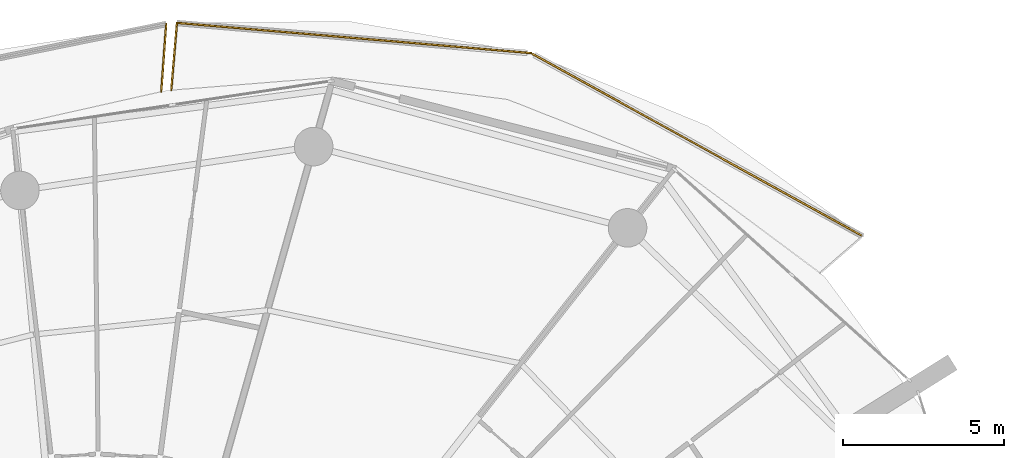
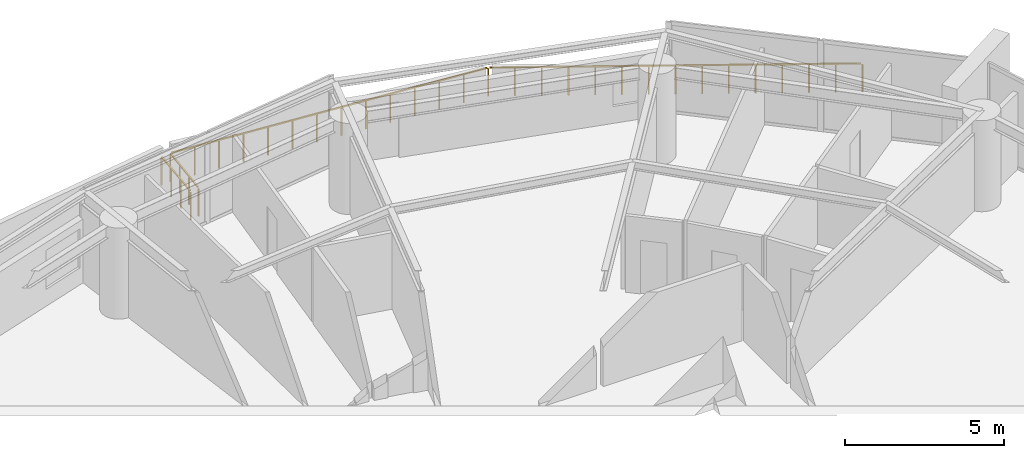
# One storey, part 23 of 23: 4 railings.
"""IFC4 building model written with IfcOpenShell, lengths in metres."""

from ifc_helpers import new_model, si_unit, direction, frame, origin, origin_2d, place, context, subcontext, project, spatial, rectangle, extrude, material, type_object, element, save


model = new_model("IFC4")

# Units and contexts
model_context = context("Model", 3, precision=1e-05, world=origin(), true_north=direction((0.0, 1.0)))
body_context = subcontext(model_context, "Body", "Model", "MODEL_VIEW")
ifc_project = project(units=[si_unit("LENGTHUNIT", "METRE"), si_unit("AREAUNIT", "SQUARE_METRE"), si_unit("VOLUMEUNIT", "CUBIC_METRE"), si_unit("PLANEANGLEUNIT", "RADIAN"), si_unit("MASSUNIT", "GRAM", prefix="KILO")], contexts=[model_context])

# Site, building, storey
site_placement = place(None, origin())
site = spatial("IfcSite", under=ifc_project, at=site_placement, CompositionType="ELEMENT")
building_placement = place(site_placement, origin())
building = spatial("IfcBuilding", under=site, at=building_placement, Name="Kazma Halo Residences", CompositionType="ELEMENT")
storey_placement = place(building_placement, frame((0.0, 0.0, 86.39990234375)))
storey = spatial("IfcBuildingStorey", under=building, at=storey_placement, Name="L21", CompositionType="ELEMENT", Elevation=86.39990234375)

# Railings
ifc_material = material(Name="Aluminium AW-6063 T6 Brushed Cap Rail", Category="aluminium")
railing_type = type_object("IfcRailingType", Name="RLG-BAL-CAP-1120", PredefinedType="BALUSTRADE", material=ifc_material)
railing_1_placement = place(storey_placement, frame((71.644287109375, 62.4453125, 0.0)))
element("IfcRailing", 1, at=railing_1_placement, inside=storey, type_object=railing_type, Name="L21 NE wave balcony guard 2", PredefinedType="BALUSTRADE", context=body_context, shape_type="SweptSolid", body=[
    extrude(rectangle(XDim=0.050048828125, YDim=0.050048828125, at=origin_2d()), frame((-0.037353515625, 0.0205078125, 1.09521484375), z_axis=(-0.875455960149, 0.483297901754, 0.0), x_axis=(-0.483297901754, -0.875455960149, 0.0)), (0.0, 0.0, 1.0), 11.706787109375),
    extrude(rectangle(XDim=0.0400390625, YDim=0.0400390625, at=origin_2d()), origin(), (0.0, 0.0, 1.0), 1.05810546875),
    extrude(rectangle(XDim=0.0400390625, YDim=0.0400390625, at=origin_2d()), frame((-0.7373046875, 0.406982421875, 0.0)), (0.0, 0.0, 1.0), 1.05810546875),
    extrude(rectangle(XDim=0.0400390625, YDim=0.0400390625, at=origin_2d()), frame((-1.474853515625, 0.814208984375, 0.0)), (0.0, 0.0, 1.0), 1.05810546875),
    extrude(rectangle(XDim=0.0400390625, YDim=0.0400390625, at=origin_2d()), frame((-2.212158203125, 1.22119140625, 0.0)), (0.0, 0.0, 1.0), 1.05810546875),
    extrude(rectangle(XDim=0.0400390625, YDim=0.0400390625, at=origin_2d()), frame((-2.949462890625, 1.628173828125, 0.0)), (0.0, 0.0, 1.0), 1.05810546875),
    extrude(rectangle(XDim=0.0400390625, YDim=0.0400390625, at=origin_2d()), frame((-3.686767578125, 2.035400390625, 0.0)), (0.0, 0.0, 1.0), 1.05810546875),
    extrude(rectangle(XDim=0.0400390625, YDim=0.0400390625, at=origin_2d()), frame((-4.42431640625, 2.4423828125, 0.0)), (0.0, 0.0, 1.0), 1.05810546875),
    extrude(rectangle(XDim=0.0400390625, YDim=0.0400390625, at=origin_2d()), frame((-5.16162109375, 2.849609375, 0.0)), (0.0, 0.0, 1.0), 1.05810546875),
    extrude(rectangle(XDim=0.0400390625, YDim=0.0400390625, at=origin_2d()), frame((-5.89892578125, 3.256591796875, 0.0)), (0.0, 0.0, 1.0), 1.05810546875),
    extrude(rectangle(XDim=0.0400390625, YDim=0.0400390625, at=origin_2d()), frame((-6.636474609375, 3.66357421875, 0.0)), (0.0, 0.0, 1.0), 1.05810546875),
    extrude(rectangle(XDim=0.0400390625, YDim=0.0400390625, at=origin_2d()), frame((-7.373779296875, 4.07080078125, 0.0)), (0.0, 0.0, 1.0), 1.05810546875),
    extrude(rectangle(XDim=0.0400390625, YDim=0.0400390625, at=origin_2d()), frame((-8.111083984375, 4.477783203125, 0.0)), (0.0, 0.0, 1.0), 1.05810546875),
    extrude(rectangle(XDim=0.0400390625, YDim=0.0400390625, at=origin_2d()), frame((-8.848388671875, 4.884765625, 0.0)), (0.0, 0.0, 1.0), 1.05810546875),
    extrude(rectangle(XDim=0.0400390625, YDim=0.0400390625, at=origin_2d()), frame((-9.5859375, 5.2919921875, 0.0)), (0.0, 0.0, 1.0), 1.05810546875),
    extrude(rectangle(XDim=0.0400390625, YDim=0.0400390625, at=origin_2d()), frame((-10.3232421875, 5.698974609375, 0.0)), (0.0, 0.0, 1.0), 1.05810546875),
])
railing_2_placement = place(storey_placement, frame((61.321044921875, 68.144287109375, 0.0)))
element("IfcRailing", 2, at=railing_2_placement, inside=storey, type_object=railing_type, Name="L21 NE wave balcony guard 3", PredefinedType="BALUSTRADE", context=body_context, shape_type="SweptSolid", body=[
    extrude(rectangle(XDim=0.050048828125, YDim=0.050048828125, at=origin_2d()), frame((-0.04248046875, 0.003662109375, 1.09521484375), z_axis=(-0.996376631535, 0.085050620995, 0.0), x_axis=(-0.085050620995, -0.996376631535, 0.0)), (0.0, 0.0, 1.0), 10.97802734375),
    extrude(rectangle(XDim=0.0400390625, YDim=0.0400390625, at=origin_2d()), origin(), (0.0, 0.0, 1.0), 1.05810546875),
    extrude(rectangle(XDim=0.0400390625, YDim=0.0400390625, at=origin_2d()), frame((-0.847900390625, 0.072265625, 0.0)), (0.0, 0.0, 1.0), 1.05810546875),
    extrude(rectangle(XDim=0.0400390625, YDim=0.0400390625, at=origin_2d()), frame((-1.69580078125, 0.144775390625, 0.0)), (0.0, 0.0, 1.0), 1.05810546875),
    extrude(rectangle(XDim=0.0400390625, YDim=0.0400390625, at=origin_2d()), frame((-2.543701171875, 0.217041015625, 0.0)), (0.0, 0.0, 1.0), 1.05810546875),
    extrude(rectangle(XDim=0.0400390625, YDim=0.0400390625, at=origin_2d()), frame((-3.3916015625, 0.28955078125, 0.0)), (0.0, 0.0, 1.0), 1.05810546875),
    extrude(rectangle(XDim=0.0400390625, YDim=0.0400390625, at=origin_2d()), frame((-4.239501953125, 0.36181640625, 0.0)), (0.0, 0.0, 1.0), 1.05810546875),
    extrude(rectangle(XDim=0.0400390625, YDim=0.0400390625, at=origin_2d()), frame((-5.08740234375, 0.434326171875, 0.0)), (0.0, 0.0, 1.0), 1.05810546875),
    extrude(rectangle(XDim=0.0400390625, YDim=0.0400390625, at=origin_2d()), frame((-5.935546875, 0.506591796875, 0.0)), (0.0, 0.0, 1.0), 1.05810546875),
    extrude(rectangle(XDim=0.0400390625, YDim=0.0400390625, at=origin_2d()), frame((-6.783447265625, 0.5791015625, 0.0)), (0.0, 0.0, 1.0), 1.05810546875),
    extrude(rectangle(XDim=0.0400390625, YDim=0.0400390625, at=origin_2d()), frame((-7.63134765625, 0.6513671875, 0.0)), (0.0, 0.0, 1.0), 1.05810546875),
    extrude(rectangle(XDim=0.0400390625, YDim=0.0400390625, at=origin_2d()), frame((-8.479248046875, 0.723876953125, 0.0)), (0.0, 0.0, 1.0), 1.05810546875),
    extrude(rectangle(XDim=0.0400390625, YDim=0.0400390625, at=origin_2d()), frame((-9.3271484375, 0.796142578125, 0.0)), (0.0, 0.0, 1.0), 1.05810546875),
    extrude(rectangle(XDim=0.0400390625, YDim=0.0400390625, at=origin_2d()), frame((-10.175048828125, 0.86865234375, 0.0)), (0.0, 0.0, 1.0), 1.05810546875),
    extrude(rectangle(XDim=0.0400390625, YDim=0.0400390625, at=origin_2d()), frame((-11.02294921875, 0.94091796875, 0.0)), (0.0, 0.0, 1.0), 1.05810546875),
])
railing_3_placement = place(storey_placement, frame((50.298095703125, 69.085205078125, 0.0)))
element("IfcRailing", 3, at=railing_3_placement, inside=storey, type_object=railing_type, Name="L21 NE wave balcony guard 4", PredefinedType="BALUSTRADE", context=body_context, shape_type="SweptSolid", body=[
    extrude(rectangle(XDim=0.050048828125, YDim=0.050048828125, at=origin_2d()), frame((-0.003662109375, -0.04248046875, 1.09521484375), z_axis=(-0.084507629378, -0.996422832224, 0.0), x_axis=(0.996422832224, -0.084507629378, 0.0)), (0.0, 0.0, 1.0), 2.01513671875),
    extrude(rectangle(XDim=0.0400390625, YDim=0.0400390625, at=origin_2d()), origin(), (0.0, 0.0, 1.0), 1.05810546875),
    extrude(rectangle(XDim=0.0400390625, YDim=0.0400390625, at=origin_2d()), frame((-0.05908203125, -0.697509765625, 0.0)), (0.0, 0.0, 1.0), 1.05810546875),
    extrude(rectangle(XDim=0.0400390625, YDim=0.0400390625, at=origin_2d()), frame((-0.118408203125, -1.395263671875, 0.0)), (0.0, 0.0, 1.0), 1.05810546875),
    extrude(rectangle(XDim=0.0400390625, YDim=0.0400390625, at=origin_2d()), frame((-0.177490234375, -2.0927734375, 0.0)), (0.0, 0.0, 1.0), 1.05810546875),
])
railing_4_placement = place(storey_placement, frame((49.81005859375, 66.94580078125, 0.0)))
element("IfcRailing", 4, at=railing_4_placement, inside=storey, type_object=railing_type, Name="L21 NNW wave balcony guard 1", PredefinedType="BALUSTRADE", context=body_context, shape_type="SweptSolid", body=[
    extrude(rectangle(XDim=0.050048828125, YDim=0.050048828125, at=origin_2d()), frame((0.003173828125, 0.04248046875, 1.09521484375), z_axis=(0.072387443062, 0.997376587898, 0.0), x_axis=(-0.997376587898, 0.072387443062, 0.0)), (0.0, 0.0, 1.0), 2.029541015625),
    extrude(rectangle(XDim=0.0400390625, YDim=0.0400390625, at=origin_2d()), origin(), (0.0, 0.0, 1.0), 1.05810546875),
    extrude(rectangle(XDim=0.0400390625, YDim=0.0400390625, at=origin_2d()), frame((0.051025390625, 0.703125, 0.0)), (0.0, 0.0, 1.0), 1.05810546875),
    extrude(rectangle(XDim=0.0400390625, YDim=0.0400390625, at=origin_2d()), frame((0.10205078125, 1.406005859375, 0.0)), (0.0, 0.0, 1.0), 1.05810546875),
    extrude(rectangle(XDim=0.0400390625, YDim=0.0400390625, at=origin_2d()), frame((0.153076171875, 2.109130859375, 0.0)), (0.0, 0.0, 1.0), 1.05810546875),
])

save(model, "model.ifc")
